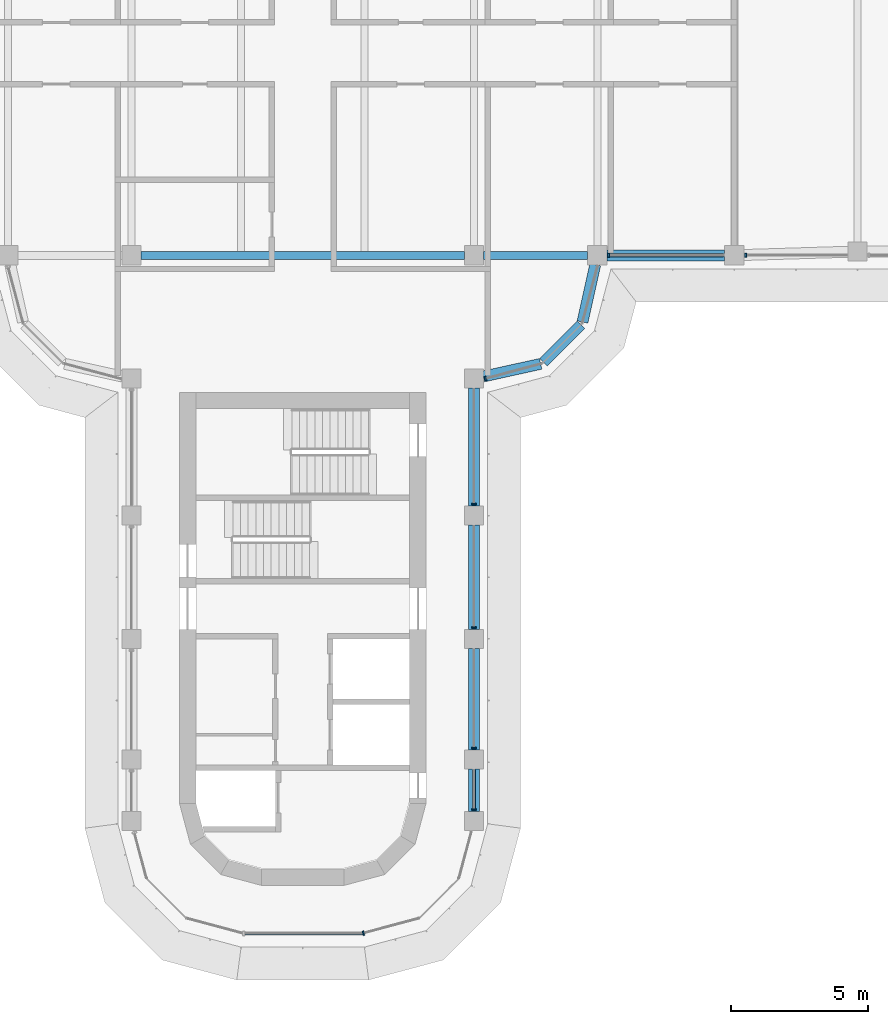
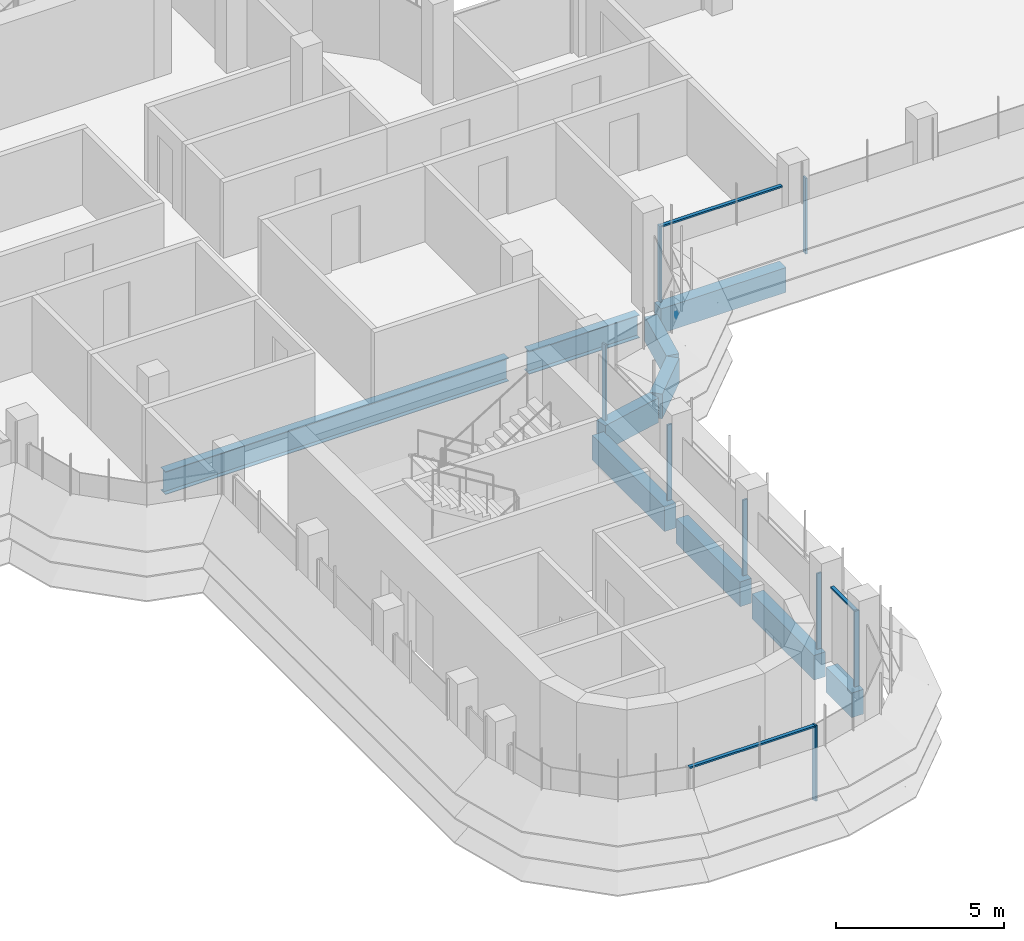
# One storey, part 4 of 18: 11 members, 10 beams, 5 elements without a shape of their own.
"""IFC4 building model written with IfcOpenShell, lengths in metres."""

from ifc_helpers import new_model, si_unit, direction, frame, origin, origin_2d, place, context, subcontext, project, spatial, polyline, rectangle, i_section, outline, extrude, source, transform, mapped, material, material_profile, profile_set, type_object, element, aggregate, save


model = new_model("IFC4")

# Units and contexts
model_context = context("Model", 3, precision=1e-05, world=origin(), true_north=direction((0.0, 1.0)))
body_context = subcontext(model_context, "Body", "Model", "MODEL_VIEW")
ifc_project = project(units=[si_unit("LENGTHUNIT", "METRE"), si_unit("AREAUNIT", "SQUARE_METRE"), si_unit("VOLUMEUNIT", "CUBIC_METRE"), si_unit("PLANEANGLEUNIT", "RADIAN"), si_unit("MASSUNIT", "GRAM", prefix="KILO")], contexts=[model_context])

# Site, building, storey
site_placement = place(None, origin())
site = spatial("IfcSite", under=ifc_project, at=site_placement, CompositionType="ELEMENT")
building_placement = place(site_placement, origin())
building = spatial("IfcBuilding", under=site, at=building_placement, Name="Zarbagh Exchange Tower", CompositionType="ELEMENT")
storey_placement = place(building_placement, frame((0.0, 0.0, 206.800048828125)))
storey = spatial("IfcBuildingStorey", under=building, at=storey_placement, Name="L50", CompositionType="ELEMENT", Elevation=206.800048828125)

# Beams
ifc_material_1 = material(Name="Steel ASTM A992 Gr 50", Category="steel")
ifc_material_profile_1 = material_profile(ifc_material_1, i_section(OverallWidth=0.2919921875, OverallDepth=0.835693359375, WebThickness=0.013916015625, FlangeThickness=0.018798828125, at=origin_2d()), Name="W33X118")
ifc_profile_set_1 = profile_set([ifc_material_profile_1], Name="Steel ASTM A992 Gr 50")
beam_type_1 = type_object("IfcBeamType", Name="Floor girder W33X118", PredefinedType="BEAM", material=ifc_profile_set_1)
beam_1_placement = place(storey_placement, frame((-5.89990234375, -6.25, -0.56787109375), z_axis=(1.0, 0.0, 0.0), x_axis=(0.0, 1.0, 0.0)))
element("IfcBeam", 1, at=beam_1_placement, inside=storey, type_object=beam_type_1, Name="Steel girder", PredefinedType="BEAM", context=body_context, shape_type="SweptSolid", body=[
    extrude(i_section(OverallWidth=0.2919921875, OverallDepth=0.835693359375, WebThickness=0.013916015625, FlangeThickness=0.018798828125, at=origin_2d()), origin(), (0.0, 0.0, 1.0), 11.7998046875),
])
beam_2_placement = place(storey_placement, frame((6.60009765625, -6.25, -0.56787109375), z_axis=(1.0, 0.0, 0.0), x_axis=(0.0, 1.0, 0.0)))
element("IfcBeam", 2, at=beam_2_placement, inside=storey, type_object=beam_type_1, Name="Steel girder", PredefinedType="BEAM", context=body_context, shape_type="SweptSolid", body=[
    extrude(i_section(OverallWidth=0.2919921875, OverallDepth=0.835693359375, WebThickness=0.013916015625, FlangeThickness=0.018798828125, at=origin_2d()), origin(), (0.0, 0.0, 1.0), 3.7998046875),
])
ifc_material_2 = material(Name="Concrete C50/60", Category="concrete")
ifc_material_profile_2 = material_profile(ifc_material_2, rectangle(XDim=0.39990234375, YDim=0.89990234375, at=origin_2d()), Name="RC spandrel beam 400 x 900 C50/60")
ifc_profile_set_2 = profile_set([ifc_material_profile_2], Name="Concrete C50/60")
beam_type_2 = type_object("IfcBeamType", Name="RC spandrel beam 400 x 900 C50/60", PredefinedType="SPANDREL", material=ifc_profile_set_2)
beam_3_placement = place(storey_placement, frame((15.39990234375, -6.25, -0.60009765625), z_axis=(-1.0, 0.0, 0.0), x_axis=(0.0, -1.0, 0.0)))
element("IfcBeam", 3, at=beam_3_placement, inside=storey, type_object=beam_type_2, Name="RC spandrel beam", PredefinedType="SPANDREL", context=body_context, shape_type="SweptSolid", body=[
    extrude(rectangle(XDim=0.39990234375, YDim=0.89990234375, at=origin_2d()), origin(), (0.0, 0.0, 1.0), 4.2998046875),
])
beam_4_placement = place(storey_placement, frame((10.67431640625, -6.591796875, -0.60009765625), z_axis=(-0.216013551096, -0.97639036545, 0.0), x_axis=(0.97639036545, -0.216013551096, 0.0)))
element("IfcBeam", 4, at=beam_4_placement, inside=storey, type_object=beam_type_2, Name="RC spandrel beam", PredefinedType="SPANDREL", context=body_context, shape_type="SweptSolid", body=[
    extrude(rectangle(XDim=0.39990234375, YDim=0.89990234375, at=origin_2d()), origin(), (0.0, 0.0, 1.0), 2.142822265625),
])
beam_5_placement = place(storey_placement, frame((10.15771484375, -8.782470703125, -0.60009765625), z_axis=(-0.707106781187, -0.707106781187, 0.0), x_axis=(0.707106781187, -0.707106781187, 0.0)))
element("IfcBeam", 5, at=beam_5_placement, inside=storey, type_object=beam_type_2, Name="RC spandrel beam", PredefinedType="SPANDREL", context=body_context, shape_type="SweptSolid", body=[
    extrude(rectangle(XDim=0.39990234375, YDim=0.89990234375, at=origin_2d()), origin(), (0.0, 0.0, 1.0), 1.94482421875),
])
beam_6_placement = place(storey_placement, frame((8.68408203125, -10.21142578125, -0.60009765625), z_axis=(-0.97639036545, -0.216013551096, 0.0), x_axis=(0.216013551096, -0.97639036545, 0.0)))
element("IfcBeam", 6, at=beam_6_placement, inside=storey, type_object=beam_type_2, Name="RC spandrel beam", PredefinedType="SPANDREL", context=body_context, shape_type="SweptSolid", body=[
    extrude(rectangle(XDim=0.39990234375, YDim=0.89990234375, at=origin_2d()), origin(), (0.0, 0.0, 1.0), 2.142822265625),
])
beam_7_placement = place(storey_placement, frame((6.25, -11.10009765625, -0.60009765625), z_axis=(0.0, -1.0, 0.0), x_axis=(1.0, 0.0, 0.0)))
element("IfcBeam", 7, at=beam_7_placement, inside=storey, type_object=beam_type_2, Name="RC spandrel beam", PredefinedType="SPANDREL", context=body_context, shape_type="SweptSolid", body=[
    extrude(rectangle(XDim=0.39990234375, YDim=0.89990234375, at=origin_2d()), origin(), (0.0, 0.0, 1.0), 4.2998046875),
])
beam_8_placement = place(storey_placement, frame((6.25, -16.10009765625, -0.60009765625), z_axis=(0.0, -1.0, 0.0), x_axis=(1.0, 0.0, 0.0)))
element("IfcBeam", 8, at=beam_8_placement, inside=storey, type_object=beam_type_2, Name="RC spandrel beam", PredefinedType="SPANDREL", context=body_context, shape_type="SweptSolid", body=[
    extrude(rectangle(XDim=0.39990234375, YDim=0.89990234375, at=origin_2d()), origin(), (0.0, 0.0, 1.0), 3.7998046875),
])
beam_9_placement = place(storey_placement, frame((6.25, -20.60009765625, -0.60009765625), z_axis=(0.0, -1.0, 0.0), x_axis=(1.0, 0.0, 0.0)))
element("IfcBeam", 9, at=beam_9_placement, inside=storey, type_object=beam_type_2, Name="RC spandrel beam", PredefinedType="SPANDREL", context=body_context, shape_type="SweptSolid", body=[
    extrude(rectangle(XDim=0.39990234375, YDim=0.89990234375, at=origin_2d()), origin(), (0.0, 0.0, 1.0), 3.699951171875),
])
beam_10_placement = place(storey_placement, frame((6.25, -25.0, -0.60009765625), z_axis=(0.0, -1.0, 0.0), x_axis=(1.0, 0.0, 0.0)))
element("IfcBeam", 10, at=beam_10_placement, inside=storey, type_object=beam_type_2, Name="RC spandrel beam", PredefinedType="SPANDREL", context=body_context, shape_type="SweptSolid", body=[
    extrude(rectangle(XDim=0.39990234375, YDim=0.89990234375, at=origin_2d()), origin(), (0.0, 0.0, 1.0), 1.550048828125),
])

# Curtain wall, member
ifc_material_3 = material(Name="Anodised aluminium frame and glazing", Category="aluminium")
curtain_wall_type = type_object("IfcCurtainWallType", Name="CWB Ribbon glazing, upper zones", PredefinedType="NOTDEFINED", material=ifc_material_3)
curtain_wall_1_placement = place(storey_placement, origin())
curtain_wall_1 = element("IfcCurtainWall", 11, at=curtain_wall_1_placement, inside=storey, type_object=curtain_wall_type, Name="CWB49 curtain wall", PredefinedType="NOTDEFINED")
ifc_material_4 = material(Name="Anodised aluminium frame", Category="aluminium")
member_type_1 = type_object("IfcMemberType", Name="MUB Mullion, anodised aluminium frame", PredefinedType="MULLION", material=ifc_material_4)
shared_shape_1 = source(origin(), body_context, "Body", "SweptSolid", [
    extrude(outline(polyline([(0.0, -0.080078125), (0.06005859375, -0.080078125), (0.06005859375, 0.080078125), (0.0, 0.080078125), (0.0, -0.080078125)])), origin(), (0.0, 0.0, 1.0), 2.75),
])
placement = place(storey_placement, origin())
member_1 = element("IfcMember", 12, at=placement, type_object=member_type_1, Name="CWB49 mullion 1.1", PredefinedType="MULLION", context=body_context, shape_type="MappedRepresentation", body=[
    mapped(shared_shape_1, transform((2.18408203125, -31.0, 0.0), x_axis=(0.965924289636, 0.258824779902, 0.0), y_axis=(-0.258824779902, 0.965924289636, 0.0), z_axis=(0.0, 0.0, 1.0))),
])
aggregate(curtain_wall_1, [member_1])

# Curtain wall, members
curtain_wall_2_placement = place(storey_placement, origin())
curtain_wall_2 = element("IfcCurtainWall", 13, at=curtain_wall_2_placement, inside=storey, type_object=curtain_wall_type, Name="CWB52 curtain wall", PredefinedType="NOTDEFINED")
member_2 = element("IfcMember", 14, at=placement, type_object=member_type_1, Name="CWB52 mullion 1.1", PredefinedType="MULLION", context=body_context, shape_type="MappedRepresentation", body=[
    mapped(shared_shape_1, transform((6.25, -26.510009765625, 0.0), x_axis=(0.0, 1.0, 0.0), y_axis=(-1.0, 0.0, 0.0), z_axis=(0.0, 0.0, 1.0))),
])
member_3 = element("IfcMember", 15, at=placement, type_object=member_type_1, Name="CWB52 mullion 2.1", PredefinedType="MULLION", context=body_context, shape_type="MappedRepresentation", body=[
    mapped(shared_shape_1, transform((6.25, -24.260009765625, 0.0), x_axis=(0.0, 1.0, 0.0), y_axis=(-1.0, 0.0, 0.0), z_axis=(0.0, 0.0, 1.0))),
])
member_4 = element("IfcMember", 16, at=placement, type_object=member_type_1, Name="CWB52 mullion 3.1", PredefinedType="MULLION", context=body_context, shape_type="MappedRepresentation", body=[
    mapped(shared_shape_1, transform((6.25, -19.85986328125, 0.0), x_axis=(0.0, 1.0, 0.0), y_axis=(-1.0, 0.0, 0.0), z_axis=(0.0, 0.0, 1.0))),
])
member_5 = element("IfcMember", 17, at=placement, type_object=member_type_1, Name="CWB52 mullion 4.1", PredefinedType="MULLION", context=body_context, shape_type="MappedRepresentation", body=[
    mapped(shared_shape_1, transform((6.25, -15.35986328125, 0.0), x_axis=(0.0, 1.0, 0.0), y_axis=(-1.0, 0.0, 0.0), z_axis=(0.0, 0.0, 1.0))),
])

# Curtain wall, member
curtain_wall_3_placement = place(storey_placement, origin())
curtain_wall_3 = element("IfcCurtainWall", 18, at=curtain_wall_3_placement, inside=storey, type_object=curtain_wall_type, Name="CWB05 curtain wall", PredefinedType="NOTDEFINED")
member_6 = element("IfcMember", 19, at=placement, type_object=member_type_1, Name="CWB05 mullion 1.1", PredefinedType="MULLION", context=body_context, shape_type="MappedRepresentation", body=[
    mapped(shared_shape_1, transform((6.64013671875, -10.76171875, 0.0), x_axis=(0.965924289636, 0.258824779902, 0.0), y_axis=(-0.258824779902, 0.965924289636, 0.0), z_axis=(0.0, 0.0, 1.0))),
])
aggregate(curtain_wall_3, [member_6])

# Curtain wall, members
curtain_wall_4_placement = place(storey_placement, origin())
curtain_wall_4 = element("IfcCurtainWall", 20, at=curtain_wall_4_placement, inside=storey, type_object=curtain_wall_type, Name="CWB08 curtain wall", PredefinedType="NOTDEFINED")
member_7 = element("IfcMember", 21, at=placement, type_object=member_type_1, Name="CWB08 mullion 1.1", PredefinedType="MULLION", context=body_context, shape_type="MappedRepresentation", body=[
    mapped(shared_shape_1, transform((11.14013671875, -6.25, 0.0), x_axis=(1.0, 0.0, 0.0), y_axis=(0.0, 1.0, 0.0), z_axis=(0.0, 0.0, 1.0))),
])
member_8 = element("IfcMember", 22, at=placement, type_object=member_type_1, Name="CWB08 mullion 2.1", PredefinedType="MULLION", context=body_context, shape_type="MappedRepresentation", body=[
    mapped(shared_shape_1, transform((16.14013671875, -6.25, 0.0), x_axis=(1.0, 0.0, 0.0), y_axis=(0.0, 1.0, 0.0), z_axis=(0.0, 0.0, 1.0))),
])

# Curtain wall, member
curtain_wall_5_placement = place(storey_placement, origin())
curtain_wall_5 = element("IfcCurtainWall", 23, at=curtain_wall_5_placement, inside=storey, type_object=curtain_wall_type, Name="CWB57 curtain wall", PredefinedType="NOTDEFINED")
member_type_2 = type_object("IfcMemberType", Name="TRB Transom, anodised aluminium frame", PredefinedType="USERDEFINED", material=ifc_material_4)
shared_shape_2 = source(origin(), body_context, "Body", "SweptSolid", [
    extrude(outline(polyline([(-0.06005859375, -0.06005859375), (0.0, -0.06005859375), (0.0, 0.06005859375), (-0.06005859375, 0.06005859375), (-0.06005859375, -0.06005859375)])), origin(), (0.0, 0.0, 1.0), 4.308349609375),
])
member_9 = element("IfcMember", 24, at=placement, type_object=member_type_2, Name="CWB57 transom 1.1", ObjectType="TRANSOM", PredefinedType="USERDEFINED", context=body_context, shape_type="MappedRepresentation", body=[
    mapped(shared_shape_2, transform((-2.124267578125, -31.0, 2.75), x_axis=(0.0, 0.0, 1.0), y_axis=(0.0, -1.0, 0.0), z_axis=(1.0, 0.0, 0.0))),
])
aggregate(curtain_wall_5, [member_9])

# Member
shared_shape_3 = source(origin(), body_context, "Body", "SweptSolid", [
    extrude(outline(polyline([(-0.06005859375, -0.06005859375), (0.0, -0.06005859375), (0.0, 0.06005859375), (-0.06005859375, 0.06005859375), (-0.06005859375, -0.06005859375)])), origin(), (0.0, 0.0, 1.0), 1.409912109375),
])
member_10 = element("IfcMember", 25, at=placement, type_object=member_type_2, Name="CWB52 transom 1.1", ObjectType="TRANSOM", PredefinedType="USERDEFINED", context=body_context, shape_type="MappedRepresentation", body=[
    mapped(shared_shape_3, transform((6.25, -26.449951171875, 2.75), x_axis=(0.0, 0.0, 1.0), y_axis=(1.0, 0.0, 0.0), z_axis=(0.0, 1.0, 0.0))),
])

aggregate(curtain_wall_2, [member_2, member_10, member_3, member_4, member_5])

shared_shape_4 = source(origin(), body_context, "Body", "SweptSolid", [
    extrude(outline(polyline([(-0.06005859375, -0.06005859375), (0.0, -0.06005859375), (0.0, 0.06005859375), (-0.06005859375, 0.06005859375), (-0.06005859375, -0.06005859375)])), origin(), (0.0, 0.0, 1.0), 4.159912109375),
])
member_11 = element("IfcMember", 26, at=placement, type_object=member_type_2, Name="CWB08 transom 1.1", ObjectType="TRANSOM", PredefinedType="USERDEFINED", context=body_context, shape_type="MappedRepresentation", body=[
    mapped(shared_shape_4, transform((11.199951171875, -6.25, 2.75), x_axis=(0.0, 0.0, 1.0), y_axis=(0.0, -1.0, 0.0), z_axis=(1.0, 0.0, 0.0))),
])

aggregate(curtain_wall_4, [member_7, member_11, member_8])

save(model, "model.ifc")
